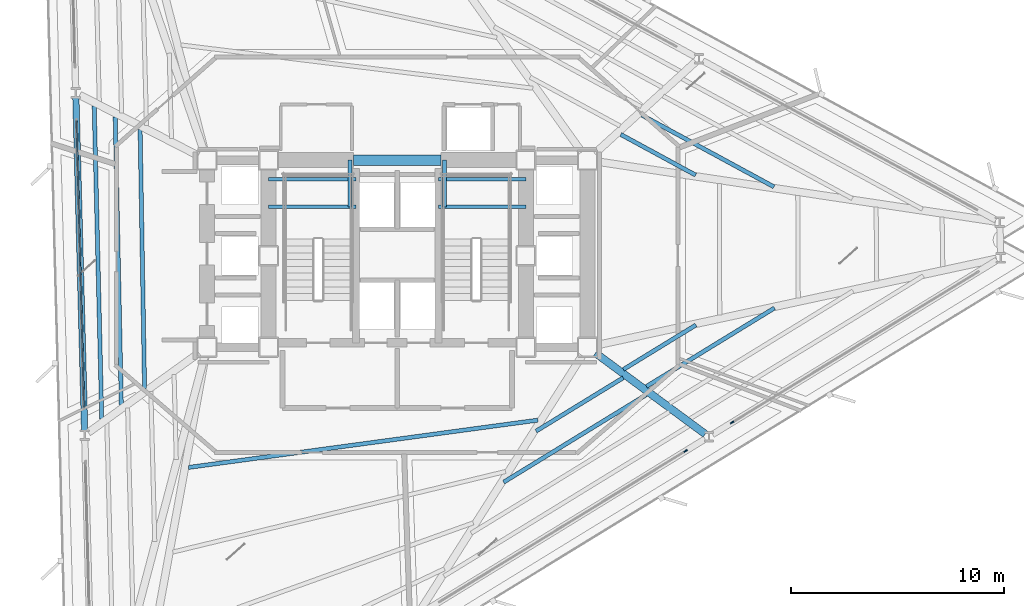
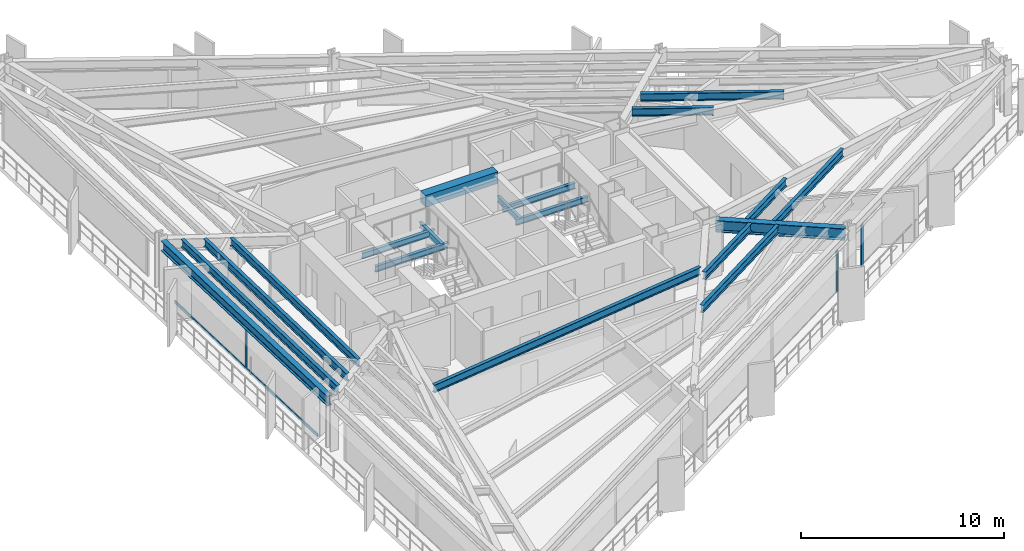
# One storey, part 3 of 14: 19 beams, 7 members, 3 elements without a shape of their own.
"""IFC4 building model written with IfcOpenShell, lengths in metres."""

import ifcopenshell
import ifcopenshell.guid

model = None  # the IFC model being written
_history = None  # IfcOwnerHistory: only IFC2X3 demands one
_inside = {}  # id of a spatial element -> (the spatial element, [elements in it])
_under = {}  # id of a project, library or spatial element -> (it, [spatial elements below it])
_declared = {}  # id of a project -> (the project, [libraries it declares])
_typed = {}  # id of a type object -> (the type object, [elements of that type])
_made_of = {}  # id of a material, layer set ... -> (it, [elements and type objects made of it])


def new_model(schema):
    """Start an empty IFC model of exactly this schema.

    Asked for "IFC4X3", IfcOpenShell would pick the latest addendum, in which some entities
    have other attributes; the version numbers below select the first issue.
    IFC2X3 requires an IfcOwnerHistory on every rooted entity: one is made here for all.
    """
    global model, _history
    if schema == "IFC4X3":
        model = ifcopenshell.file(schema_version=(4, 3, 0, 0))
    else:
        model = ifcopenshell.file(schema=schema)
    _inside.clear()
    _under.clear()
    _declared.clear()
    _typed.clear()
    _made_of.clear()
    _history = None
    if model.schema == "IFC2X3":
        org = make("IfcOrganization", Name="unknown")
        user = make(
            "IfcPersonAndOrganization",
            ThePerson=make("IfcPerson", FamilyName="unknown"),
            TheOrganization=org,
        )
        app = make(
            "IfcApplication",
            ApplicationDeveloper=org,
            Version="unknown",
            ApplicationFullName="unknown",
            ApplicationIdentifier="unknown",
        )
        _history = make(
            "IfcOwnerHistory",
            OwningUser=user,
            OwningApplication=app,
            ChangeAction="ADDED",
            CreationDate=0,
        )
    return model


def make(cls, **values):
    """One entity of the class cls with the attributes given. An attribute that is None is left unset."""
    return model.create_entity(
        cls, **{name: value for name, value in values.items() if value is not None}
    )


def rooted(cls, **values):
    """An entity with a GlobalId (a new one), such as an element, a storey or a relation."""
    return make(cls, GlobalId=ifcopenshell.guid.new(), OwnerHistory=_history, **values)


def si_unit(unit_type, name, prefix=None):
    """IfcSIUnit, for example si_unit("LENGTHUNIT", "METRE", prefix="MILLI")."""
    return make("IfcSIUnit", UnitType=unit_type, Prefix=prefix, Name=name)


def assignment(units):
    """IfcUnitAssignment: the units of a project."""
    return None if units is None else make("IfcUnitAssignment", Units=units)


def point(xyz):
    """IfcCartesianPoint."""
    return None if xyz is None else make("IfcCartesianPoint", Coordinates=xyz)


def direction(xyz):
    """IfcDirection."""
    return None if xyz is None else make("IfcDirection", DirectionRatios=xyz)


def frame(location, z_axis=None, x_axis=None):
    """IfcAxis2Placement3D, a coordinate frame: its origin and axes. An axis left out is left unset."""
    return make(
        "IfcAxis2Placement3D",
        Location=point(location),
        Axis=direction(z_axis),
        RefDirection=direction(x_axis),
    )


def frame_2d(location, x_axis=None):
    """IfcAxis2Placement2D, a coordinate frame in the plane: its origin and x axis."""
    return make(
        "IfcAxis2Placement2D", Location=point(location), RefDirection=direction(x_axis)
    )


def origin():
    """The frame at (0, 0, 0) with its axes left unset."""
    return frame((0.0, 0.0, 0.0))


def origin_2d():
    """The frame at (0, 0) in the plane with its x axis left unset."""
    return frame_2d((0.0, 0.0))


def place(relative_to, where):
    """IfcLocalPlacement: puts the frame where relative to a parent placement (None: the world)."""
    return make(
        "IfcLocalPlacement", PlacementRelTo=relative_to, RelativePlacement=where
    )


def context(
    kind, dimensions, precision=None, world=None, true_north=None, identifier=None
):
    """IfcGeometricRepresentationContext, for example the 3D "Model" context."""
    return make(
        "IfcGeometricRepresentationContext",
        ContextIdentifier=identifier,
        ContextType=kind,
        CoordinateSpaceDimension=dimensions,
        Precision=precision,
        WorldCoordinateSystem=world,
        TrueNorth=true_north,
    )


def subcontext(parent, identifier, kind, view, scale=None):
    """IfcGeometricRepresentationSubContext, for example "Body" below "Model"."""
    return make(
        "IfcGeometricRepresentationSubContext",
        ContextIdentifier=identifier,
        ContextType=kind,
        ParentContext=parent,
        TargetScale=scale,
        TargetView=view,
    )


def project(units=None, contexts=None):
    """IfcProject with its units and contexts."""
    return rooted(
        "IfcProject",
        Name="project",
        RepresentationContexts=contexts,
        UnitsInContext=assignment(units),
    )


def spatial(cls, under=None, at=None, **own):
    """A site, building, storey or space (cls), placed at a placement, below another one or the project."""
    s = rooted(cls, ObjectPlacement=at, **own)
    if under is not None:
        _under.setdefault(under.id(), (under, []))[1].append(s)
    return s


def profile(cls, at=None, kind="AREA", **sizes):
    """A parametric profile (cls). Its sizes go by their IFC names, for example OverallWidth=200.0."""
    return make(cls, ProfileType=kind, Position=at, **sizes)


def rectangle(**sizes):
    """IfcRectangleProfileDef."""
    return profile("IfcRectangleProfileDef", **sizes)


def i_section(**sizes):
    """IfcIShapeProfileDef."""
    return profile("IfcIShapeProfileDef", **sizes)


def extrude(swept, where, along, depth):
    """IfcExtrudedAreaSolid: the profile swept, set in the frame where, extruded along a direction by depth."""
    return make(
        "IfcExtrudedAreaSolid",
        SweptArea=swept,
        Position=where,
        ExtrudedDirection=direction(along),
        Depth=depth,
    )


def shape(context_of_items, identifier, shape_type, items):
    """IfcShapeRepresentation: the items that make up one representation, for example the "Body"."""
    return make(
        "IfcShapeRepresentation",
        ContextOfItems=context_of_items,
        RepresentationIdentifier=identifier,
        RepresentationType=shape_type,
        Items=items,
    )


def material(Name=None, Category=None):
    """IfcMaterial."""
    return make("IfcMaterial", Name=Name, Category=Category)


def layer(
    of_material, thickness, ventilated=None, Name=None, Category=None, Priority=None
):
    """IfcMaterialLayer: one layer of a wall or slab, of a material (None: an air gap)."""
    return make(
        "IfcMaterialLayer",
        Material=of_material,
        LayerThickness=thickness,
        IsVentilated=ventilated,
        Name=Name,
        Category=Category,
        Priority=Priority,
    )


def layer_set(layers, Name=None):
    """IfcMaterialLayerSet."""
    return make("IfcMaterialLayerSet", MaterialLayers=layers, LayerSetName=Name)


def material_profile(
    of_material, cross_section, Name=None, Category=None, Priority=None
):
    """IfcMaterialProfile: a cross section and its material."""
    return make(
        "IfcMaterialProfile",
        Name=Name,
        Material=of_material,
        Profile=cross_section,
        Priority=Priority,
        Category=Category,
    )


def profile_set(profiles, Name=None, composite=None):
    """IfcMaterialProfileSet."""
    return make(
        "IfcMaterialProfileSet",
        Name=Name,
        MaterialProfiles=profiles,
        CompositeProfile=composite,
    )


def made_of(thing, what):
    """Note that an element or type object is made of a material, layer set ...; save() writes the relation."""
    if what is not None:
        _made_of.setdefault(what.id(), (what, []))[1].append(thing)
    return thing


def type_object(cls, material=None, **own):
    """A type object (cls), such as IfcWallType, which elements share."""
    return made_of(rooted(cls, **own), material)


def element(
    cls,
    number,
    at=None,
    inside=None,
    cuts=None,
    type_object=None,
    material=None,
    context=None,
    identifier="Body",
    shape_type=None,
    held_by="IfcProductDefinitionShape",
    body=None,
    shapes=None,
    **own,
):
    """One element of the class cls, such as IfcWall. Its Tag is "e" and its number.

    at: its placement. inside: the storey or other place that contains it. cuts: it is an
    opening in that element (IfcRelVoidsElement). A single representation is given by context,
    identifier, shape_type and body (its items); several are given by shapes. held_by: the class
    of the entity that holds the representations. save() writes the other relations.
    """
    e = rooted(cls, Tag="e%d" % number, ObjectPlacement=at, **own)
    if body is not None:
        shapes = [shape(context, identifier, shape_type, body)]
    if shapes is not None:
        e.Representation = make(held_by, Representations=shapes)
    if inside is not None:
        _inside.setdefault(inside.id(), (inside, []))[1].append(e)
    if cuts is not None:
        rooted(
            "IfcRelVoidsElement", RelatingBuildingElement=cuts, RelatedOpeningElement=e
        )
    if type_object is not None:
        _typed.setdefault(type_object.id(), (type_object, []))[1].append(e)
    return made_of(e, material)


def aggregate(whole, parts):
    """IfcRelAggregates: a whole, such as a stair, and the parts it consists of."""
    return rooted("IfcRelAggregates", RelatingObject=whole, RelatedObjects=parts)


def save(model, path):
    """Write the relations noted so far, then the file.

    IfcRelAggregates (storeys below a building ...), IfcRelContainedInSpatialStructure (elements
    in a storey), IfcRelDefinesByType, IfcRelAssociatesMaterial and IfcRelDeclares: one each for
    every whole, place, type object, material and project.
    """
    for whole, parts in _under.values():
        aggregate(whole, parts)
    for where, things in _inside.values():
        rooted(
            "IfcRelContainedInSpatialStructure",
            RelatedElements=things,
            RelatingStructure=where,
        )
    for kind, things in _typed.values():
        rooted("IfcRelDefinesByType", RelatedObjects=things, RelatingType=kind)
    for what, things in _made_of.values():
        rooted("IfcRelAssociatesMaterial", RelatedObjects=things, RelatingMaterial=what)
    for by, libraries in _declared.values():
        rooted("IfcRelDeclares", RelatingContext=by, RelatedDefinitions=libraries)
    model.write(path)


model = new_model("IFC4")

# Units and contexts
model_context = context("Model", 3, precision=1e-05, world=origin(), true_north=direction((0.0, 1.0)))
body_context = subcontext(model_context, "Body", "Model", "MODEL_VIEW")
ifc_project = project(units=[si_unit("LENGTHUNIT", "METRE"), si_unit("AREAUNIT", "SQUARE_METRE"), si_unit("VOLUMEUNIT", "CUBIC_METRE"), si_unit("PLANEANGLEUNIT", "RADIAN"), si_unit("MASSUNIT", "GRAM", prefix="KILO")], contexts=[model_context])

# Site, building, storey
site_placement = place(None, origin())
site = spatial("IfcSite", under=ifc_project, at=site_placement, CompositionType="ELEMENT")
building_placement = place(site_placement, origin())
building = spatial("IfcBuilding", under=site, at=building_placement, Name="Rocaltana Carrier Exchange", CompositionType="ELEMENT")
storey_placement = place(building_placement, frame((0.0, 0.0, 22.239990234375)))
storey = spatial("IfcBuildingStorey", under=building, at=storey_placement, Name="L07", CompositionType="ELEMENT", Elevation=22.239990234375)

# Curtain wall, member
ifc_material_1 = material(Name="Aluminium 6063-T6", Category="aluminium")
ifc_layer = layer(ifc_material_1, 0.179931640625)
ifc_layer_set = layer_set([ifc_layer], Name="Aluminium 6063-T6")
curtain_wall_type = type_object("IfcCurtainWallType", Name="Sandstone Spandrel Unitised Curtain Wall CW-01", PredefinedType="NOTDEFINED", material=ifc_layer_set)
curtain_wall_1_placement = place(storey_placement, origin())
curtain_wall_1 = element("IfcCurtainWall", 1, at=curtain_wall_1_placement, inside=storey, type_object=curtain_wall_type, Name="L07 CW-01 Run CW-L07-F2S2", PredefinedType="NOTDEFINED")
ifc_material_2 = material(Name="Aluminium 6063-T6", Category="aluminium")
ifc_material_profile_1 = material_profile(ifc_material_2, rectangle(XDim=0.06494140625, YDim=0.179931640625, at=origin_2d()), Name="AL-65X180")
ifc_profile_set_1 = profile_set([ifc_material_profile_1], Name="Aluminium 6063-T6")
member_type_1 = type_object("IfcMemberType", Name="CW-01 Mullion AL-65X180", PredefinedType="MULLION", material=ifc_profile_set_1)
member_1_placement = place(storey_placement, frame((-14.91064453125, -0.390380859375, 0.0), z_axis=(0.0, 0.0, 1.0), x_axis=(0.99965733548, 0.026176547142, 0.0)))
member_1 = element("IfcMember", 2, at=member_1_placement, type_object=member_type_1, Name="CW-01 mullion 2", PredefinedType="MULLION", context=body_context, shape_type="SweptSolid", body=[
    extrude(rectangle(XDim=0.06494140625, YDim=0.179931640625, at=origin_2d()), origin(), (0.0, 0.0, 1.0), 2.47802734375),
])

curtain_wall_2_placement = place(storey_placement, origin())
curtain_wall_2 = element("IfcCurtainWall", 3, at=curtain_wall_2_placement, inside=storey, type_object=curtain_wall_type, Name="L07 CW-01 Run CW-L07-F3S2", PredefinedType="NOTDEFINED")
member_2_placement = place(storey_placement, frame((13.563720703125, -9.181884765625, 0.0), z_axis=(0.0, 0.0, 1.0), x_axis=(-0.522499812415, 0.852639399762, 0.0)))
member_2 = element("IfcMember", 4, at=member_2_placement, type_object=member_type_1, Name="CW-01 mullion 3", PredefinedType="MULLION", context=body_context, shape_type="SweptSolid", body=[
    extrude(rectangle(XDim=0.06494140625, YDim=0.179931640625, at=origin_2d()), origin(), (0.0, 0.0, 1.0), 2.47802734375),
])
aggregate(curtain_wall_2, [member_2])

curtain_wall_3_placement = place(storey_placement, origin())
curtain_wall_3 = element("IfcCurtainWall", 5, at=curtain_wall_3_placement, inside=storey, type_object=curtain_wall_type, Name="L07 CW-01 Run CW-L07-F3S3", PredefinedType="NOTDEFINED")
member_3_placement = place(storey_placement, frame((15.750732421875, -7.841552734375, 0.0), z_axis=(0.0, 0.0, 1.0), x_axis=(-0.522499812415, 0.852639399762, 0.0)))
member_3 = element("IfcMember", 6, at=member_3_placement, type_object=member_type_1, Name="CW-01 mullion 1", PredefinedType="MULLION", context=body_context, shape_type="SweptSolid", body=[
    extrude(rectangle(XDim=0.06494140625, YDim=0.179931640625, at=origin_2d()), origin(), (0.0, 0.0, 1.0), 2.47802734375),
])
aggregate(curtain_wall_3, [member_3])

# Member
ifc_material_3 = material(Name="Aluminium 6063-T6", Category="aluminium")
ifc_material_profile_2 = material_profile(ifc_material_3, rectangle(XDim=0.06494140625, YDim=0.179931640625, at=origin_2d()), Name="AL-65X180")
ifc_profile_set_2 = profile_set([ifc_material_profile_2], Name="Aluminium 6063-T6")
member_type_2 = type_object("IfcMemberType", Name="CW-01 Transom AL-65X180", PredefinedType="USERDEFINED", material=ifc_profile_set_2)
member_4_placement = place(storey_placement, frame((-15.0869140625, 6.34228515625, 0.032470703125), z_axis=(0.026153417925, -0.999657940863, 0.0), x_axis=(0.999657940863, 0.026153417925, 0.0)))
member_4 = element("IfcMember", 7, at=member_4_placement, type_object=member_type_2, Name="CW-01 transom 1.1", ObjectType="TRANSOM", PredefinedType="USERDEFINED", context=body_context, shape_type="SweptSolid", body=[
    extrude(rectangle(XDim=0.06494140625, YDim=0.179931640625, at=origin_2d()), origin(), (0.0, 0.0, 1.0), 6.702392578125),
])

member_5_placement = place(storey_placement, frame((-15.0869140625, 6.34228515625, 2.445556640625), z_axis=(0.026153417925, -0.999657940863, 0.0), x_axis=(0.999657940863, 0.026153417925, 0.0)))
member_5 = element("IfcMember", 8, at=member_5_placement, type_object=member_type_2, Name="CW-01 transom 1.2", ObjectType="TRANSOM", PredefinedType="USERDEFINED", context=body_context, shape_type="SweptSolid", body=[
    extrude(rectangle(XDim=0.06494140625, YDim=0.179931640625, at=origin_2d()), origin(), (0.0, 0.0, 1.0), 6.702392578125),
])

member_6_placement = place(storey_placement, frame((-14.909912109375, -0.4228515625, 0.032470703125), z_axis=(0.026189818331, -0.999656987879, 0.0), x_axis=(0.999656987879, 0.026189818331, 0.0)))
member_6 = element("IfcMember", 9, at=member_6_placement, type_object=member_type_2, Name="CW-01 transom 2.1", ObjectType="TRANSOM", PredefinedType="USERDEFINED", context=body_context, shape_type="SweptSolid", body=[
    extrude(rectangle(XDim=0.06494140625, YDim=0.179931640625, at=origin_2d()), origin(), (0.0, 0.0, 1.0), 6.702392578125),
])

member_7_placement = place(storey_placement, frame((-14.909912109375, -0.4228515625, 2.445556640625), z_axis=(0.026189818331, -0.999656987879, 0.0), x_axis=(0.999656987879, 0.026189818331, 0.0)))
member_7 = element("IfcMember", 10, at=member_7_placement, type_object=member_type_2, Name="CW-01 transom 2.2", ObjectType="TRANSOM", PredefinedType="USERDEFINED", context=body_context, shape_type="SweptSolid", body=[
    extrude(rectangle(XDim=0.06494140625, YDim=0.179931640625, at=origin_2d()), origin(), (0.0, 0.0, 1.0), 6.702392578125),
])

aggregate(curtain_wall_1, [member_1, member_4, member_5, member_6, member_7])

# Beams
ifc_material_4 = material(Name="Concrete C60/75", Category="concrete")
ifc_material_profile_3 = material_profile(ifc_material_4, rectangle(XDim=0.5, YDim=0.699951171875, at=origin_2d()), Name="RC-BM-500X700")
ifc_profile_set_3 = profile_set([ifc_material_profile_3], Name="Concrete C60/75")
beam_type_1 = type_object("IfcBeamType", Name="Core Coupling Lintel 500x700", PredefinedType="LINTEL", material=ifc_profile_set_3)
beam_1_placement = place(storey_placement, frame((-2.050048828125, 4.5, 2.748046875), z_axis=(1.0, 0.0, 0.0), x_axis=(0.0, 1.0, 0.0)))
element("IfcBeam", 11, at=beam_1_placement, inside=storey, type_object=beam_type_1, Name="L07 Core Coupling Lintel CL-N", PredefinedType="LINTEL", context=body_context, shape_type="SweptSolid", body=[
    extrude(rectangle(XDim=0.5, YDim=0.699951171875, at=origin_2d()), origin(), (0.0, 0.0, 1.0), 4.10009765625),
])
ifc_material_5 = material(Name="Steel S355", Category="steel")
ifc_material_profile_4 = material_profile(ifc_material_5, i_section(OverallWidth=0.172119140625, OverallDepth=0.35791015625, WebThickness=0.0078125, FlangeThickness=0.01318359375, FilletRadius=0.011962890625, at=origin_2d()), Name="W14X38")
ifc_profile_set_4 = profile_set([ifc_material_profile_4], Name="Steel S355")
beam_type_2 = type_object("IfcBeamType", Name="Floor Joist W14X38", PredefinedType="JOIST", material=ifc_profile_set_4)
for number, where, z_axis, x_axis, name in (
    (12, (-6.050048828125, 2.300048828125, 1.301025390625), (1.0, 0.0, 0.0), (0.0, 1.0, 0.0), "L07 ST-1 Landing Carrier 1"),
    (13, (1.93994140625, 2.300048828125, 1.301025390625), (1.0, 0.0, 0.0), (0.0, 1.0, 0.0), "L07 ST-2 Landing Carrier 1"),
    (14, (-6.050048828125, 3.60009765625, 1.301025390625), (1.0, 0.0, 0.0), (0.0, 1.0, 0.0), "L07 ST-1 Landing Carrier 2"),
    (15, (1.93994140625, 3.60009765625, 1.301025390625), (1.0, 0.0, 0.0), (0.0, 1.0, 0.0), "L07 ST-2 Landing Carrier 2"),
):
    element("IfcBeam", number, at=place(storey_placement, frame(where, z_axis=z_axis, x_axis=x_axis)), inside=storey, type_object=beam_type_2, Name=name, PredefinedType="JOIST", context=body_context, shape_type="SweptSolid", body=[
        extrude(i_section(OverallWidth=0.172119140625, OverallDepth=0.35791015625, WebThickness=0.0078125, FlangeThickness=0.01318359375, FilletRadius=0.011962890625, at=origin_2d()), origin(), (0.0, 0.0, 1.0), 4.110107421875),
    ])
for number, where, z_axis, x_axis, name in (
    (16, (-2.219970703125, 2.300048828125, 1.301025390625), (0.0, 1.0, 0.0), (-1.0, 0.0, 0.0), "L07 ST-1 Landing Cross Trimmer"),
    (17, (2.219970703125, 2.300048828125, 1.301025390625), (0.0, 1.0, 0.0), (-1.0, 0.0, 0.0), "L07 ST-2 Landing Cross Trimmer"),
):
    element("IfcBeam", number, at=place(storey_placement, frame(where, z_axis=z_axis, x_axis=x_axis)), inside=storey, type_object=beam_type_2, Name=name, PredefinedType="JOIST", context=body_context, shape_type="SweptSolid", body=[
        extrude(i_section(OverallWidth=0.172119140625, OverallDepth=0.35791015625, WebThickness=0.0078125, FlangeThickness=0.01318359375, FilletRadius=0.011962890625, at=origin_2d()), origin(), (0.0, 0.0, 1.0), 2.199951171875),
    ])
ifc_material_6 = material(Name="Steel S355", Category="steel")
ifc_material_profile_5 = material_profile(ifc_material_6, i_section(OverallWidth=0.193115234375, OverallDepth=0.466064453125, WebThickness=0.011474609375, FlangeThickness=0.01904296875, FilletRadius=0.013916015625, at=origin_2d()), Name="W18X65")
ifc_profile_set_5 = profile_set([ifc_material_profile_5], Name="Steel S355")
beam_type_3 = type_object("IfcBeamType", Name="Floor Joist W18X65", PredefinedType="JOIST", material=ifc_profile_set_5)
beam_2_placement = place(storey_placement, frame((14.03466796875, 3.794921875, 2.864990234375), z_axis=(-0.878819095461, 0.477155108381, 0.0), x_axis=(-0.477155108381, -0.878819095461, 0.0)))
element("IfcBeam", 18, at=beam_2_placement, inside=storey, type_object=beam_type_3, Name="FJ-L07-01-1", PredefinedType="JOIST", context=body_context, shape_type="SweptSolid", body=[
    extrude(i_section(OverallWidth=0.193115234375, OverallDepth=0.466064453125, WebThickness=0.011474609375, FlangeThickness=0.01904296875, FilletRadius=0.013916015625, at=origin_2d()), origin(), (0.0, 0.0, 1.0), 4.003662109375),
])
beam_3_placement = place(storey_placement, frame((17.718994140625, 3.240966796875, 2.864990234375), z_axis=(-0.878818644884, 0.477155938247, 0.0), x_axis=(-0.477155938247, -0.878818644884, 0.0)))
element("IfcBeam", 19, at=beam_3_placement, inside=storey, type_object=beam_type_3, Name="FJ-L07-01-2", PredefinedType="JOIST", context=body_context, shape_type="SweptSolid", body=[
    extrude(i_section(OverallWidth=0.193115234375, OverallDepth=0.466064453125, WebThickness=0.011474609375, FlangeThickness=0.01904296875, FilletRadius=0.013916015625, at=origin_2d()), origin(), (0.0, 0.0, 1.0), 7.06298828125),
])
beam_4_placement = place(storey_placement, frame((-12.094482421875, 5.9384765625, 2.864990234375), z_axis=(0.01715934819, -0.999852767546, 0.0), x_axis=(0.999852767546, 0.01715934819, 0.0)))
element("IfcBeam", 20, at=beam_4_placement, inside=storey, type_object=beam_type_3, Name="FJ-L07-06-2", PredefinedType="JOIST", context=body_context, shape_type="SweptSolid", body=[
    extrude(i_section(OverallWidth=0.193115234375, OverallDepth=0.466064453125, WebThickness=0.011474609375, FlangeThickness=0.01904296875, FilletRadius=0.013916015625, at=origin_2d()), origin(), (0.0, 0.0, 1.0), 12.178955078125),
])
beam_5_placement = place(storey_placement, frame((-13.266357421875, 6.538330078125, 2.864990234375), z_axis=(0.021217434782, -0.999774884892, 0.0), x_axis=(0.999774884892, 0.021217434782, 0.0)))
element("IfcBeam", 21, at=beam_5_placement, inside=storey, type_object=beam_type_3, Name="FJ-L07-06-3", PredefinedType="JOIST", context=body_context, shape_type="SweptSolid", body=[
    extrude(i_section(OverallWidth=0.193115234375, OverallDepth=0.466064453125, WebThickness=0.011474609375, FlangeThickness=0.01904296875, FilletRadius=0.013916015625, at=origin_2d()), origin(), (0.0, 0.0, 1.0), 13.56640625),
])
beam_6_placement = place(storey_placement, frame((-14.25341796875, 7.04345703125, 2.864990234375), z_axis=(0.024041709719, -0.999710956324, 0.0), x_axis=(0.999710956324, 0.024041709719, 0.0)))
element("IfcBeam", 22, at=beam_6_placement, inside=storey, type_object=beam_type_3, Name="FJ-L07-06-4", PredefinedType="JOIST", context=body_context, shape_type="SweptSolid", body=[
    extrude(i_section(OverallWidth=0.193115234375, OverallDepth=0.466064453125, WebThickness=0.011474609375, FlangeThickness=0.01904296875, FilletRadius=0.013916015625, at=origin_2d()), origin(), (0.0, 0.0, 1.0), 14.734619140625),
])
beam_7_placement = place(storey_placement, frame((-9.819091796875, -9.956787109375, 2.864990234375), z_axis=(0.990955694238, 0.13418946329, 0.0), x_axis=(-0.13418946329, 0.990955694238, 0.0)))
element("IfcBeam", 23, at=beam_7_placement, inside=storey, type_object=beam_type_3, Name="FJ-L07-09-1", PredefinedType="JOIST", context=body_context, shape_type="SweptSolid", body=[
    extrude(i_section(OverallWidth=0.193115234375, OverallDepth=0.466064453125, WebThickness=0.011474609375, FlangeThickness=0.01904296875, FilletRadius=0.013916015625, at=origin_2d()), origin(), (0.0, 0.0, 1.0), 16.58349609375),
])
beam_8_placement = place(storey_placement, frame((6.52978515625, -8.25, 2.864990234375), z_axis=(0.852639920922, 0.522498961961, 0.0), x_axis=(-0.522498961961, 0.852639920922, 0.0)))
element("IfcBeam", 24, at=beam_8_placement, inside=storey, type_object=beam_type_3, Name="FJ-L07-10-1", PredefinedType="JOIST", context=body_context, shape_type="SweptSolid", body=[
    extrude(i_section(OverallWidth=0.193115234375, OverallDepth=0.466064453125, WebThickness=0.011474609375, FlangeThickness=0.01904296875, FilletRadius=0.013916015625, at=origin_2d()), origin(), (0.0, 0.0, 1.0), 4.80908203125),
])
beam_9_placement = place(storey_placement, frame((5.005859375, -10.648681640625, 2.864990234375), z_axis=(0.852633806111, 0.522508940283, 0.0), x_axis=(-0.522508940283, 0.852633806111, 0.0)))
element("IfcBeam", 25, at=beam_9_placement, inside=storey, type_object=beam_type_3, Name="FJ-L07-10-2", PredefinedType="JOIST", context=body_context, shape_type="SweptSolid", body=[
    extrude(i_section(OverallWidth=0.193115234375, OverallDepth=0.466064453125, WebThickness=0.011474609375, FlangeThickness=0.01904296875, FilletRadius=0.013916015625, at=origin_2d()), origin(), (0.0, 0.0, 1.0), 7.867919921875),
])
beam_10_placement = place(storey_placement, frame((10.63720703125, -5.34765625, 2.864990234375), z_axis=(0.852634552526, 0.522507722277, 0.0), x_axis=(-0.522507722277, 0.852634552526, 0.0)))
element("IfcBeam", 26, at=beam_10_placement, inside=storey, type_object=beam_type_3, Name="FJ-L07-11-1", PredefinedType="JOIST", context=body_context, shape_type="SweptSolid", body=[
    extrude(i_section(OverallWidth=0.193115234375, OverallDepth=0.466064453125, WebThickness=0.011474609375, FlangeThickness=0.01904296875, FilletRadius=0.013916015625, at=origin_2d()), origin(), (0.0, 0.0, 1.0), 4.00390625),
])
beam_11_placement = place(storey_placement, frame((11.721435546875, -6.147705078125, 2.864990234375), z_axis=(0.85265490201, 0.522474514286, 0.0), x_axis=(-0.522474514286, 0.85265490201, 0.0)))
element("IfcBeam", 27, at=beam_11_placement, inside=storey, type_object=beam_type_3, Name="FJ-L07-11-2", PredefinedType="JOIST", context=body_context, shape_type="SweptSolid", body=[
    extrude(i_section(OverallWidth=0.193115234375, OverallDepth=0.466064453125, WebThickness=0.011474609375, FlangeThickness=0.01904296875, FilletRadius=0.013916015625, at=origin_2d()), origin(), (0.0, 0.0, 1.0), 7.06298828125),
])
ifc_material_7 = material(Name="Steel S355", Category="steel")
ifc_material_profile_6 = material_profile(ifc_material_7, i_section(OverallWidth=0.35498046875, OverallDepth=0.695068359375, WebThickness=0.015380859375, FlangeThickness=0.02490234375, FilletRadius=0.01806640625, at=origin_2d()), Name="W27X146")
ifc_profile_set_6 = profile_set([ifc_material_profile_6], Name="Steel S355")
beam_type_4 = type_object("IfcBeamType", Name="Radial Girder W27X146", PredefinedType="BEAM", material=ifc_profile_set_6)
beam_12_placement = place(storey_placement, frame((9.32568359375, -4.577392578125, 2.75048828125), z_axis=(0.804632064785, -0.593773728216, 0.0), x_axis=(0.593773728216, 0.804632064785, 0.0)))
element("IfcBeam", 28, at=beam_12_placement, inside=storey, type_object=beam_type_4, Name="RG-L07-11", PredefinedType="BEAM", context=body_context, shape_type="SweptSolid", body=[
    extrude(i_section(OverallWidth=0.35498046875, OverallDepth=0.695068359375, WebThickness=0.015380859375, FlangeThickness=0.02490234375, FilletRadius=0.01806640625, at=origin_2d()), origin(), (0.0, 0.0, 1.0), 6.41796875),
])
ifc_material_8 = material(Name="Steel S355", Category="steel")
ifc_material_profile_7 = material_profile(ifc_material_8, i_section(OverallWidth=0.300048828125, OverallDepth=0.60009765625, WebThickness=0.015380859375, FlangeThickness=0.030029296875, FilletRadius=0.027099609375, at=origin_2d()), Name="HEB600")
ifc_profile_set_7 = profile_set([ifc_material_profile_7], Name="Steel S355")
beam_type_5 = type_object("IfcBeamType", Name="Spandrel Edge Beam HEB600", PredefinedType="SPANDREL", material=ifc_profile_set_7)
beam_13_placement = place(storey_placement, frame((-15.115966796875, 7.448974609375, 2.798095703125), z_axis=(0.026182238984, -0.99965718642, 0.0), x_axis=(0.99965718642, 0.026182238984, 0.0)))
element("IfcBeam", 29, at=beam_13_placement, inside=storey, type_object=beam_type_5, Name="SP-L07-06", PredefinedType="SPANDREL", context=body_context, shape_type="SweptSolid", body=[
    extrude(i_section(OverallWidth=0.300048828125, OverallDepth=0.60009765625, WebThickness=0.015380859375, FlangeThickness=0.030029296875, FilletRadius=0.027099609375, at=origin_2d()), origin(), (0.0, 0.0, 1.0), 15.68408203125),
])

save(model, "model.ifc")
